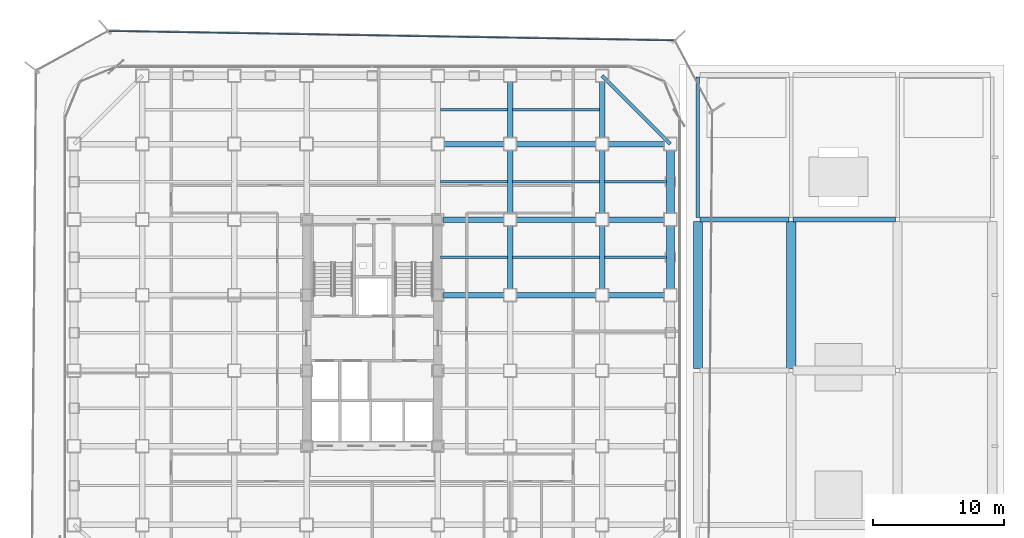
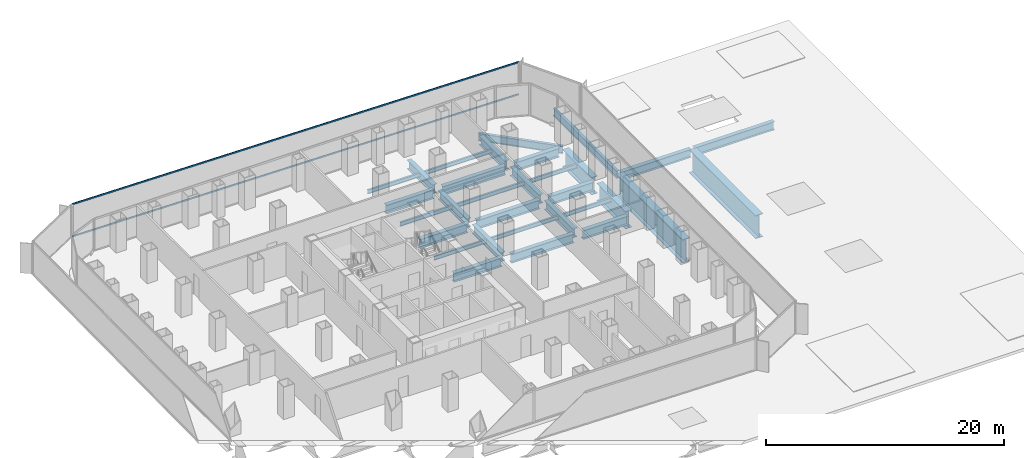
# One storey, part 17 of 27: 31 beams, 2 members, 1 element without a shape of its own.
"""IFC4 building model written with IfcOpenShell, lengths in metres."""

from ifc_helpers import new_model, si_unit, direction, frame, origin, origin_2d, place, context, subcontext, project, spatial, hollow_rectangle, i_section, extrude, source, transform, mapped, material, layer, layer_set, material_profile, profile_set, type_object, element, aggregate, save


model = new_model("IFC4")

# Units and contexts
model_context = context("Model", 3, precision=1e-05, world=origin(), true_north=direction((0.0, 1.0)))
body_context = subcontext(model_context, "Body", "Model", "MODEL_VIEW")
ifc_project = project(units=[si_unit("LENGTHUNIT", "METRE"), si_unit("AREAUNIT", "SQUARE_METRE"), si_unit("VOLUMEUNIT", "CUBIC_METRE"), si_unit("PLANEANGLEUNIT", "RADIAN"), si_unit("MASSUNIT", "GRAM", prefix="KILO")], contexts=[model_context])

# Site, building, storey
site_placement = place(None, origin())
site = spatial("IfcSite", under=ifc_project, at=site_placement, CompositionType="ELEMENT")
building_placement = place(site_placement, origin())
building = spatial("IfcBuilding", under=site, at=building_placement, Name="Kolveth Station Tower", CompositionType="ELEMENT")
storey_placement = place(building_placement, frame((0.0, 0.0, 22.5)))
storey = spatial("IfcBuildingStorey", under=building, at=storey_placement, Name="L05", CompositionType="ELEMENT", Elevation=22.5)

# Beams
ifc_material_1 = material(Name="Steel S355", Category="steel")
ifc_material_profile_1 = material_profile(ifc_material_1, i_section(OverallWidth=0.26904296875, OverallDepth=0.77490234375, WebThickness=0.01708984375, FlangeThickness=0.0283203125, at=origin_2d()), Name="W760x220")
ifc_profile_set_1 = profile_set([ifc_material_profile_1], Name="Steel S355")
beam_type_1 = type_object("IfcBeamType", Name="Beam_SP1", PredefinedType="SPANDREL", material=ifc_profile_set_1)
shared_shape_1 = source(origin(), body_context, "Body", "SweptSolid", [
    extrude(i_section(OverallWidth=0.26904296875, OverallDepth=0.77490234375, WebThickness=0.01708984375, FlangeThickness=0.0283203125, at=origin_2d()), origin(), (0.0, 0.0, 1.0), 7.353759765625),
])
beam_1_placement = place(storey_placement, frame((46.199951171875, 34.5, -0.74755859375), z_axis=(-0.707106781187, 0.707106781187, 0.0), x_axis=(-0.707106781187, -0.707106781187, 0.0)))
element("IfcBeam", 1, at=beam_1_placement, inside=storey, type_object=beam_type_1, Name="L05 Corner Edge Girder BM-L05-CNR-NE", PredefinedType="SPANDREL", context=body_context, shape_type="MappedRepresentation", body=[
    mapped(shared_shape_1, transform((0.0, 0.0, 0.0), x_axis=(1.0, 0.0, 0.0), y_axis=(0.0, 1.0, 0.0), z_axis=(0.0, 0.0, 1.0), scale=1.0)),
])
ifc_material_profile_2 = material_profile(ifc_material_1, i_section(OverallWidth=0.41796875, OverallDepth=0.912109375, WebThickness=0.019287109375, FlangeThickness=0.031982421875, at=origin_2d()), Name="W920x342")
ifc_profile_set_2 = profile_set([ifc_material_profile_2], Name="Steel S355")
beam_type_2 = type_object("IfcBeamType", Name="Beam_B1", PredefinedType="BEAM", material=ifc_profile_set_2)
shared_shape_2 = source(origin(), body_context, "Body", "SweptSolid", [
    extrude(i_section(OverallWidth=0.41796875, OverallDepth=0.912109375, WebThickness=0.019287109375, FlangeThickness=0.031982421875, at=origin_2d()), origin(), (0.0, 0.0, 1.0), 4.300048828125),
])
for number, where, z_axis, x_axis, name in (
    (2, (41.449951171875, 23.0, -0.81591796875), (1.0, 0.0, 0.0), (0.0, 1.0, 0.0), "L05 Primary Girder BM-L05-GY230-7"),
    (3, (41.449951171875, 28.75, -0.81591796875), (1.0, 0.0, 0.0), (0.0, 1.0, 0.0), "L05 Primary Girder BM-L05-GY287-7"),
    (4, (41.449951171875, 34.5, -0.81591796875), (1.0, 0.0, 0.0), (0.0, 1.0, 0.0), "L05 Primary Girder BM-L05-GY345-7"),
    (5, (34.0, 34.949951171875, -0.81591796875), (0.0, 1.0, 0.0), (-1.0, 0.0, 0.0), "L05 Primary Girder BM-L05-GX340-7"),
    (6, (41.0, 34.949951171875, -0.81591796875), (0.0, 1.0, 0.0), (-1.0, 0.0, 0.0), "L05 Primary Girder BM-L05-GX410-7"),
):
    element("IfcBeam", number, at=place(storey_placement, frame(where, z_axis=z_axis, x_axis=x_axis)), inside=storey, type_object=beam_type_2, Name=name, PredefinedType="BEAM", context=body_context, shape_type="MappedRepresentation", body=[
        mapped(shared_shape_2, transform((0.0, 0.0, 0.0), x_axis=(1.0, 0.0, 0.0), y_axis=(0.0, 1.0, 0.0), z_axis=(0.0, 0.0, 1.0), scale=1.0)),
    ])
shared_shape_3 = source(origin(), body_context, "Body", "SweptSolid", [
    extrude(i_section(OverallWidth=0.41796875, OverallDepth=0.912109375, WebThickness=0.019287109375, FlangeThickness=0.031982421875, at=origin_2d()), origin(), (0.0, 0.0, 1.0), 6.10009765625),
])
for number, where, z_axis, x_axis, name in (
    (7, (34.449951171875, 23.0, -0.81591796875), (1.0, 0.0, 0.0), (0.0, 1.0, 0.0), "L05 Primary Girder BM-L05-GY230-6"),
    (8, (34.449951171875, 28.75, -0.81591796875), (1.0, 0.0, 0.0), (0.0, 1.0, 0.0), "L05 Primary Girder BM-L05-GY287-6"),
    (9, (34.449951171875, 34.5, -0.81591796875), (1.0, 0.0, 0.0), (0.0, 1.0, 0.0), "L05 Primary Girder BM-L05-GY345-6"),
):
    element("IfcBeam", number, at=place(storey_placement, frame(where, z_axis=z_axis, x_axis=x_axis)), inside=storey, type_object=beam_type_2, Name=name, PredefinedType="BEAM", context=body_context, shape_type="MappedRepresentation", body=[
        mapped(shared_shape_3, transform((0.0, 0.0, 0.0), x_axis=(1.0, 0.0, 0.0), y_axis=(0.0, 1.0, 0.0), z_axis=(0.0, 0.0, 1.0), scale=1.0)),
    ])
shared_shape_4 = source(origin(), body_context, "Body", "SweptSolid", [
    extrude(i_section(OverallWidth=0.41796875, OverallDepth=0.912109375, WebThickness=0.019287109375, FlangeThickness=0.031982421875, at=origin_2d()), origin(), (0.0, 0.0, 1.0), 4.60009765625),
])
beam_2_placement = place(storey_placement, frame((28.949951171875, 34.5, -0.81591796875), z_axis=(1.0, 0.0, 0.0), x_axis=(0.0, 1.0, 0.0)))
element("IfcBeam", 10, at=beam_2_placement, inside=storey, type_object=beam_type_2, Name="L05 Primary Girder BM-L05-GY345-5", PredefinedType="BEAM", context=body_context, shape_type="MappedRepresentation", body=[
    mapped(shared_shape_4, transform((0.0, 0.0, 0.0), x_axis=(1.0, 0.0, 0.0), y_axis=(0.0, 1.0, 0.0), z_axis=(0.0, 0.0, 1.0), scale=1.0)),
])
shared_shape_5 = source(origin(), body_context, "Body", "SweptSolid", [
    extrude(i_section(OverallWidth=0.41796875, OverallDepth=0.912109375, WebThickness=0.019287109375, FlangeThickness=0.031982421875, at=origin_2d()), origin(), (0.0, 0.0, 1.0), 4.650146484375),
])
for number, where, z_axis, x_axis, name in (
    (11, (28.89990234375, 23.0, -0.81591796875), (1.0, 0.0, 0.0), (0.0, 1.0, 0.0), "L05 Primary Girder BM-L05-GY230-5"),
    (12, (28.89990234375, 28.75, -0.81591796875), (1.0, 0.0, 0.0), (0.0, 1.0, 0.0), "L05 Primary Girder BM-L05-GY287-5"),
):
    element("IfcBeam", number, at=place(storey_placement, frame(where, z_axis=z_axis, x_axis=x_axis)), inside=storey, type_object=beam_type_2, Name=name, PredefinedType="BEAM", context=body_context, shape_type="MappedRepresentation", body=[
        mapped(shared_shape_5, transform((0.0, 0.0, 0.0), x_axis=(1.0, 0.0, 0.0), y_axis=(0.0, 1.0, 0.0), z_axis=(0.0, 0.0, 1.0), scale=1.0)),
    ])
shared_shape_6 = source(origin(), body_context, "Body", "SweptSolid", [
    extrude(i_section(OverallWidth=0.41796875, OverallDepth=0.912109375, WebThickness=0.019287109375, FlangeThickness=0.031982421875, at=origin_2d()), origin(), (0.0, 0.0, 1.0), 4.85009765625),
])
for number, where, z_axis, x_axis, name in (
    (13, (34.0, 23.449951171875, -0.81591796875), (0.0, 1.0, 0.0), (-1.0, 0.0, 0.0), "L05 Primary Girder BM-L05-GX340-5"),
    (14, (34.0, 29.199951171875, -0.81591796875), (0.0, 1.0, 0.0), (-1.0, 0.0, 0.0), "L05 Primary Girder BM-L05-GX340-6"),
    (15, (41.0, 23.449951171875, -0.81591796875), (0.0, 1.0, 0.0), (-1.0, 0.0, 0.0), "L05 Primary Girder BM-L05-GX410-5"),
    (16, (41.0, 29.199951171875, -0.81591796875), (0.0, 1.0, 0.0), (-1.0, 0.0, 0.0), "L05 Primary Girder BM-L05-GX410-6"),
):
    element("IfcBeam", number, at=place(storey_placement, frame(where, z_axis=z_axis, x_axis=x_axis)), inside=storey, type_object=beam_type_2, Name=name, PredefinedType="BEAM", context=body_context, shape_type="MappedRepresentation", body=[
        mapped(shared_shape_6, transform((0.0, 0.0, 0.0), x_axis=(1.0, 0.0, 0.0), y_axis=(0.0, 1.0, 0.0), z_axis=(0.0, 0.0, 1.0), scale=1.0)),
    ])
ifc_material_profile_3 = material_profile(ifc_material_1, i_section(OverallWidth=0.177978515625, OverallDepth=0.406982421875, WebThickness=0.0078125, FlangeThickness=0.0126953125, at=origin_2d()), Name="W410x60")
ifc_profile_set_3 = profile_set([ifc_material_profile_3], Name="Steel S355")
beam_type_3 = type_object("IfcBeamType", Name="Beam_J1", PredefinedType="JOIST", material=ifc_profile_set_3)
shared_shape_7 = source(origin(), body_context, "Body", "SweptSolid", [
    extrude(i_section(OverallWidth=0.177978515625, OverallDepth=0.406982421875, WebThickness=0.0078125, FlangeThickness=0.0126953125, at=origin_2d()), origin(), (0.0, 0.0, 1.0), 6.60986328125),
])
for number, where, z_axis, x_axis, name in (
    (17, (34.195068359375, 25.875, -0.5634765625), (1.0, 0.0, 0.0), (0.0, 1.0, 0.0), "L05 Secondary Joist JST-L05-6-5"),
    (18, (34.195068359375, 31.625, -0.5634765625), (1.0, 0.0, 0.0), (0.0, 1.0, 0.0), "L05 Secondary Joist JST-L05-6-6"),
    (19, (34.195068359375, 37.10009765625, -0.5634765625), (1.0, 0.0, 0.0), (0.0, 1.0, 0.0), "L05 Secondary Joist JST-L05-6-7"),
):
    element("IfcBeam", number, at=place(storey_placement, frame(where, z_axis=z_axis, x_axis=x_axis)), inside=storey, type_object=beam_type_3, Name=name, PredefinedType="JOIST", context=body_context, shape_type="MappedRepresentation", body=[
        mapped(shared_shape_7, transform((0.0, 0.0, 0.0), x_axis=(1.0, 0.0, 0.0), y_axis=(0.0, 1.0, 0.0), z_axis=(0.0, 0.0, 1.0), scale=1.0)),
    ])
shared_shape_8 = source(origin(), body_context, "Body", "SweptSolid", [
    extrude(i_section(OverallWidth=0.177978515625, OverallDepth=0.406982421875, WebThickness=0.0078125, FlangeThickness=0.0126953125, at=origin_2d()), origin(), (0.0, 0.0, 1.0), 5.10986328125),
])
for number, where, z_axis, x_axis, name in (
    (20, (28.695068359375, 25.875, -0.5634765625), (1.0, 0.0, 0.0), (0.0, 1.0, 0.0), "L05 Secondary Joist JST-L05-5-5"),
    (21, (28.695068359375, 31.625, -0.5634765625), (1.0, 0.0, 0.0), (0.0, 1.0, 0.0), "L05 Secondary Joist JST-L05-5-6"),
    (22, (28.695068359375, 37.10009765625, -0.5634765625), (1.0, 0.0, 0.0), (0.0, 1.0, 0.0), "L05 Secondary Joist JST-L05-5-7"),
):
    element("IfcBeam", number, at=place(storey_placement, frame(where, z_axis=z_axis, x_axis=x_axis)), inside=storey, type_object=beam_type_3, Name=name, PredefinedType="JOIST", context=body_context, shape_type="MappedRepresentation", body=[
        mapped(shared_shape_8, transform((0.0, 0.0, 0.0), x_axis=(1.0, 0.0, 0.0), y_axis=(0.0, 1.0, 0.0), z_axis=(0.0, 0.0, 1.0), scale=1.0)),
    ])
ifc_material_profile_4 = material_profile(ifc_material_1, i_section(OverallWidth=0.40087890625, OverallDepth=0.85107421875, WebThickness=0.01611328125, FlangeThickness=0.025390625, at=origin_2d()), Name="W840x226")
ifc_profile_set_4 = profile_set([ifc_material_profile_4], Name="Steel S355")
beam_type_4 = type_object("IfcBeamType", Name="Beam_B2", PredefinedType="BEAM", material=ifc_profile_set_4)
shared_shape_9 = source(origin(), body_context, "Body", "SweptSolid", [
    extrude(i_section(OverallWidth=0.40087890625, OverallDepth=0.85107421875, WebThickness=0.01611328125, FlangeThickness=0.025390625, at=origin_2d()), origin(), (0.0, 0.0, 1.0), 6.800048828125),
])
beam_3_placement = place(storey_placement, frame((48.449951171875, 28.75, -0.7255859375), z_axis=(1.0, 0.0, 0.0), x_axis=(0.0, 1.0, 0.0)))
element("IfcBeam", 23, at=beam_3_placement, inside=storey, type_object=beam_type_4, Name="L05 Station Portal Girder SBM-L05-EW-5-1", PredefinedType="BEAM", context=body_context, shape_type="MappedRepresentation", body=[
    mapped(shared_shape_9, transform((0.0, 0.0, 0.0), x_axis=(1.0, 0.0, 0.0), y_axis=(0.0, 1.0, 0.0), z_axis=(0.0, 0.0, 1.0), scale=1.0)),
])
shared_shape_10 = source(origin(), body_context, "Body", "SweptSolid", [
    extrude(i_section(OverallWidth=0.40087890625, OverallDepth=0.85107421875, WebThickness=0.01611328125, FlangeThickness=0.025390625, at=origin_2d()), origin(), (0.0, 0.0, 1.0), 7.800048828125),
])
beam_4_placement = place(storey_placement, frame((55.550048828125, 28.75, -0.7255859375), z_axis=(1.0, 0.0, 0.0), x_axis=(0.0, 1.0, 0.0)))
element("IfcBeam", 24, at=beam_4_placement, inside=storey, type_object=beam_type_4, Name="L05 Station Portal Girder SBM-L05-EW-5-2", PredefinedType="BEAM", context=body_context, shape_type="MappedRepresentation", body=[
    mapped(shared_shape_10, transform((0.0, 0.0, 0.0), x_axis=(1.0, 0.0, 0.0), y_axis=(0.0, 1.0, 0.0), z_axis=(0.0, 0.0, 1.0), scale=1.0)),
])
ifc_material_profile_5 = material_profile(ifc_material_1, i_section(OverallWidth=0.26708984375, OverallDepth=0.76611328125, WebThickness=0.014892578125, FlangeThickness=0.023681640625, at=origin_2d()), Name="W760x185")
ifc_profile_set_5 = profile_set([ifc_material_profile_5], Name="Steel S355")
beam_type_5 = type_object("IfcBeamType", Name="Beam_B3", PredefinedType="BEAM", material=ifc_profile_set_5)
shared_shape_11 = source(origin(), body_context, "Body", "SweptSolid", [
    extrude(i_section(OverallWidth=0.26708984375, OverallDepth=0.76611328125, WebThickness=0.014892578125, FlangeThickness=0.023681640625, at=origin_2d()), origin(), (0.0, 0.0, 1.0), 10.7001953125),
])
beam_5_placement = place(storey_placement, frame((48.300048828125, 28.89990234375, -0.68310546875), z_axis=(0.0, 1.0, 0.0), x_axis=(-1.0, 0.0, 0.0)))
element("IfcBeam", 25, at=beam_5_placement, inside=storey, type_object=beam_type_5, Name="L05 Station Spine Girder SBM-L05-NS-1-5", PredefinedType="BEAM", context=body_context, shape_type="MappedRepresentation", body=[
    mapped(shared_shape_11, transform((0.0, 0.0, 0.0), x_axis=(1.0, 0.0, 0.0), y_axis=(0.0, 1.0, 0.0), z_axis=(0.0, 0.0, 1.0), scale=1.0)),
])
ifc_material_2 = material(Name="Steel S460", Category="steel")
ifc_material_profile_6 = material_profile(ifc_material_2, i_section(OverallWidth=0.60009765625, OverallDepth=1.800048828125, WebThickness=0.031982421875, FlangeThickness=0.06005859375, at=origin_2d()), Name="PG1800x600x60")
ifc_profile_set_6 = profile_set([ifc_material_profile_6], Name="Steel S460")
beam_type_6 = type_object("IfcBeamType", Name="Beam_TG2", PredefinedType="BEAM", material=ifc_profile_set_6)
shared_shape_12 = source(origin(), body_context, "Body", "SweptSolid", [
    extrude(i_section(OverallWidth=0.60009765625, OverallDepth=1.800048828125, WebThickness=0.031982421875, FlangeThickness=0.06005859375, at=origin_2d()), origin(), (0.0, 0.0, 1.0), 4.85009765625),
])
for number, where, z_axis, x_axis, name in (
    (26, (46.199951171875, 23.449951171875, -1.260009765625), (0.0, 1.0, 0.0), (-1.0, 0.0, 0.0), "L05 Transfer Girder BM-L05-PE-4"),
    (27, (46.199951171875, 29.199951171875, -1.260009765625), (0.0, 1.0, 0.0), (-1.0, 0.0, 0.0), "L05 Transfer Girder BM-L05-PE-5"),
):
    element("IfcBeam", number, at=place(storey_placement, frame(where, z_axis=z_axis, x_axis=x_axis)), inside=storey, type_object=beam_type_6, Name=name, PredefinedType="BEAM", context=body_context, shape_type="MappedRepresentation", body=[
        mapped(shared_shape_12, transform((0.0, 0.0, 0.0), x_axis=(1.0, 0.0, 0.0), y_axis=(0.0, 1.0, 0.0), z_axis=(0.0, 0.0, 1.0), scale=1.0)),
    ])
shared_shape_13 = source(origin(), body_context, "Body", "SweptSolid", [
    extrude(i_section(OverallWidth=0.177978515625, OverallDepth=0.406982421875, WebThickness=0.0078125, FlangeThickness=0.0126953125, at=origin_2d()), origin(), (0.0, 0.0, 1.0), 4.70703125),
])
for number, where, z_axis, x_axis, name in (
    (28, (41.195068359375, 25.875, -0.5634765625), (1.0, 0.0, 0.0), (0.0, 1.0, 0.0), "L05 Secondary Joist JST-L05-7-5"),
    (29, (41.195068359375, 31.625, -0.5634765625), (1.0, 0.0, 0.0), (0.0, 1.0, 0.0), "L05 Secondary Joist JST-L05-7-6"),
):
    element("IfcBeam", number, at=place(storey_placement, frame(where, z_axis=z_axis, x_axis=x_axis)), inside=storey, type_object=beam_type_3, Name=name, PredefinedType="JOIST", context=body_context, shape_type="MappedRepresentation", body=[
        mapped(shared_shape_13, transform((0.0, 0.0, 0.0), x_axis=(1.0, 0.0, 0.0), y_axis=(0.0, 1.0, 0.0), z_axis=(0.0, 0.0, 1.0), scale=1.0)),
    ])
ifc_material_profile_7 = material_profile(ifc_material_2, i_section(OverallWidth=0.699951171875, OverallDepth=2.39990234375, WebThickness=0.0400390625, FlangeThickness=0.070068359375, at=origin_2d()), Name="PG2400x700x70")
ifc_profile_set_7 = profile_set([ifc_material_profile_7], Name="Steel S460")
beam_type_7 = type_object("IfcBeamType", Name="Beam_TG1", PredefinedType="BEAM", material=ifc_profile_set_7)
shared_shape_14 = source(origin(), body_context, "Body", "SweptSolid", [
    extrude(i_section(OverallWidth=0.699951171875, OverallDepth=2.39990234375, WebThickness=0.0400390625, FlangeThickness=0.070068359375, at=origin_2d()), origin(), (0.0, 0.0, 1.0), 11.2001953125),
])
for number, where, z_axis, x_axis, name in (
    (30, (48.300048828125, 17.39990234375, -1.5), (0.0, 1.0, 0.0), (-1.0, 0.0, 0.0), "L05 Station Spine Girder SBM-L05-NS-1-4"),
    (31, (55.39990234375, 17.39990234375, -1.5), (0.0, 1.0, 0.0), (-1.0, 0.0, 0.0), "L05 Station Spine Girder SBM-L05-NS-2-4"),
):
    element("IfcBeam", number, at=place(storey_placement, frame(where, z_axis=z_axis, x_axis=x_axis)), inside=storey, type_object=beam_type_7, Name=name, PredefinedType="BEAM", context=body_context, shape_type="MappedRepresentation", body=[
        mapped(shared_shape_14, transform((0.0, 0.0, 0.0), x_axis=(1.0, 0.0, 0.0), y_axis=(0.0, 1.0, 0.0), z_axis=(0.0, 0.0, 1.0), scale=1.0)),
    ])

# Curtain wall, members
ifc_material_3 = material(Name="Black anodized aluminium 6063-T6 and dark solar glass", Category="aluminium")
ifc_layer = layer(ifc_material_3, 0.159912109375)
ifc_layer_set = layer_set([ifc_layer], Name="Black anodized aluminium 6063-T6 and dark solar glass")
curtain_wall_type = type_object("IfcCurtainWallType", Name="OUTER SKIN CW-OS", PredefinedType="NOTDEFINED", material=ifc_layer_set)
curtain_wall_placement = place(storey_placement, origin())
curtain_wall = element("IfcCurtainWall", 32, at=curtain_wall_placement, inside=storey, type_object=curtain_wall_type, Name="L05 Outer Ventilated Skin Curtain Wall 4", PredefinedType="NOTDEFINED")
ifc_material_4 = material(Name="Black anodized aluminium 6063-T6", Category="aluminium")
ifc_material_profile_8 = material_profile(ifc_material_4, hollow_rectangle(XDim=0.080078125, YDim=0.14990234375, WallThickness=0.0048828125, at=origin_2d()), Name="ALU-80x150x5")
ifc_profile_set_8 = profile_set([ifc_material_profile_8], Name="Black anodized aluminium 6063-T6")
member_type = type_object("IfcMemberType", Name="Transom_TR-OS", PredefinedType="USERDEFINED", material=ifc_profile_set_8)
shared_shape_15 = source(origin(), body_context, "Body", "SweptSolid", [
    extrude(hollow_rectangle(XDim=0.080078125, YDim=0.14990234375, WallThickness=0.0048828125, at=origin_2d()), origin(), (0.0, 0.0, 1.0), 42.965087890625),
])
member_1_placement = place(storey_placement, frame((46.453369140625, 42.388671875, 0.0400390625), z_axis=(-0.999860920614, 0.016677512642, 0.0), x_axis=(-0.016677512642, -0.999860920614, 0.0)))
member_1 = element("IfcMember", 33, at=member_1_placement, type_object=member_type, Name="CW-OS transom 1.1", ObjectType="TRANSOM", PredefinedType="USERDEFINED", context=body_context, shape_type="MappedRepresentation", body=[
    mapped(shared_shape_15, transform((0.0, 0.0, 0.0), x_axis=(1.0, 0.0, 0.0), y_axis=(0.0, 1.0, 0.0), z_axis=(0.0, 0.0, 1.0), scale=1.0)),
])
member_2_placement = place(storey_placement, frame((46.453369140625, 42.388671875, 3.35009765625), z_axis=(-0.999860920614, 0.016677512642, 0.0), x_axis=(-0.016677512642, -0.999860920614, 0.0)))
member_2 = element("IfcMember", 34, at=member_2_placement, type_object=member_type, Name="CW-OS transom 1.2", ObjectType="TRANSOM", PredefinedType="USERDEFINED", context=body_context, shape_type="MappedRepresentation", body=[
    mapped(shared_shape_15, transform((0.0, 0.0, 0.0), x_axis=(1.0, 0.0, 0.0), y_axis=(0.0, 1.0, 0.0), z_axis=(0.0, 0.0, 1.0), scale=1.0)),
])
aggregate(curtain_wall, [member_1, member_2])

save(model, "model.ifc")
